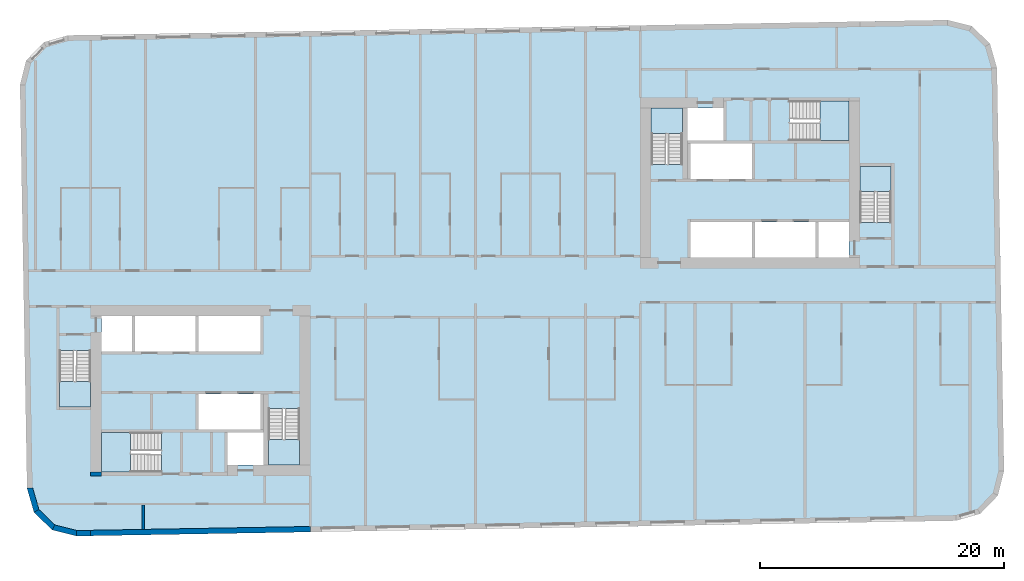
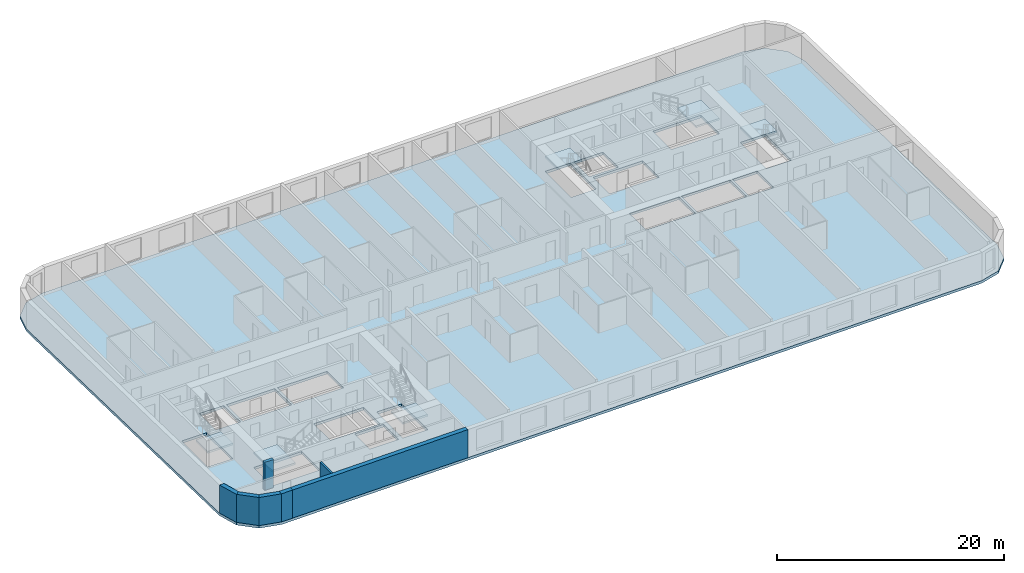
# One storey, part 1 of 11: 7 slabs, 7 walls, 6 elements without a shape of their own.
"""IFC4 building model written with IfcOpenShell, lengths in metres."""

from ifc_helpers import new_model, si_unit, direction, frame, frame_2d, origin, place, context, subcontext, project, spatial, polyline, rectangle, outline, extrude, material, layer, layer_set, type_object, element, aggregate, save


model = new_model("IFC4")

# Units and contexts
model_context = context("Model", 3, precision=1e-05, world=origin(), true_north=direction((0.0, 1.0)))
body_context = subcontext(model_context, "Body", "Model", "MODEL_VIEW")
ifc_project = project(units=[si_unit("LENGTHUNIT", "METRE"), si_unit("AREAUNIT", "SQUARE_METRE"), si_unit("VOLUMEUNIT", "CUBIC_METRE"), si_unit("PLANEANGLEUNIT", "RADIAN"), si_unit("MASSUNIT", "GRAM", prefix="KILO")], contexts=[model_context])

# Site, building, storey
site_placement = place(None, origin())
site = spatial("IfcSite", under=ifc_project, at=site_placement, CompositionType="ELEMENT")
building_placement = place(site_placement, origin())
building = spatial("IfcBuilding", under=site, at=building_placement, Name="Kajstack Hotel Tower", CompositionType="ELEMENT")
storey_placement = place(building_placement, frame((0.0, 0.0, 224.300048828125)))
storey = spatial("IfcBuildingStorey", under=building, at=storey_placement, Name="L54", CompositionType="ELEMENT", Elevation=224.300048828125)

# Slab
ifc_material_1 = material(Name="Concrete C40/50", Category="concrete")
ifc_layer_1 = layer(ifc_material_1, 0.280029296875)
ifc_layer_set_1 = layer_set([ifc_layer_1], Name="RC slab 280 C40/50 guest")
slab_type_1 = type_object("IfcSlabType", Name="RC slab 280 C40/50 guest", PredefinedType="FLOOR", material=ifc_layer_set_1)
slab_1_placement = place(storey_placement, frame((0.0, 0.0, -0.280029296875)))
element("IfcSlab", 1, at=slab_1_placement, inside=storey, type_object=slab_type_1, Name="S-slab-L54", PredefinedType="FLOOR", context=body_context, shape_type="SweptSolid", body=[
    extrude(outline(polyline([(-37.281982421875, 16.49951171875), (-36.705810546875, -16.49560546875), (-36.13525390625, -18.48583984375), (-34.645751953125, -19.92431640625), (-32.63671875, -20.42529296875), (39.352294921875, -19.168701171875), (41.342529296875, -18.597900390625), (42.781005859375, -17.1083984375), (43.281982421875, -15.099365234375), (42.705810546875, 17.8955078125), (42.13525390625, 19.885986328125), (40.645751953125, 21.32421875), (38.63671875, 21.8251953125), (-33.352294921875, 20.568603515625), (-35.342529296875, 19.997802734375), (-36.781005859375, 18.50830078125), (-37.281982421875, 16.49951171875)]), holes=[polyline([(-22.64990234375, -11.699951171875), (-22.64990234375, -8.800048828125), (-17.60009765625, -8.800048828125), (-17.60009765625, -11.699951171875), (-22.64990234375, -11.699951171875)]), polyline([(-27.85009765625, -5.300048828125), (-27.85009765625, -2.39990234375), (-22.89990234375, -2.39990234375), (-22.89990234375, -5.300048828125), (-27.85009765625, -5.300048828125)]), polyline([(-22.64990234375, -5.300048828125), (-22.64990234375, -2.39990234375), (-17.60009765625, -2.39990234375), (-17.60009765625, -5.300048828125), (-22.64990234375, -5.300048828125)]), polyline([(-20.300048828125, -14.60009765625), (-17.35009765625, -14.60009765625), (-17.35009765625, -11.949951171875), (-20.300048828125, -11.949951171875), (-20.300048828125, -14.60009765625)]), polyline([(-30.60009765625, -5.300048828125), (-28.10009765625, -5.300048828125), (-28.10009765625, -2.39990234375), (-30.60009765625, -2.39990234375), (-30.60009765625, -5.300048828125)]), polyline([(17.60009765625, 8.800048828125), (17.60009765625, 11.699951171875), (22.64990234375, 11.699951171875), (22.64990234375, 8.800048828125), (17.60009765625, 8.800048828125)]), polyline([(22.89990234375, 2.39990234375), (22.89990234375, 5.300048828125), (27.85009765625, 5.300048828125), (27.85009765625, 2.39990234375), (22.89990234375, 2.39990234375)]), polyline([(17.60009765625, 2.39990234375), (17.60009765625, 5.300048828125), (22.64990234375, 5.300048828125), (22.64990234375, 2.39990234375), (17.60009765625, 2.39990234375)]), polyline([(20.300048828125, 14.60009765625), (17.35009765625, 14.60009765625), (17.35009765625, 11.949951171875), (20.300048828125, 11.949951171875), (20.300048828125, 14.60009765625)]), polyline([(30.60009765625, 5.300048828125), (28.10009765625, 5.300048828125), (28.10009765625, 2.39990234375), (30.60009765625, 2.39990234375), (30.60009765625, 5.300048828125)]), polyline([(-34.050048828125, -9.85009765625), (-31.5, -9.85009765625), (-31.5, -5.25), (-34.050048828125, -5.25), (-34.050048828125, -9.85009765625)]), polyline([(-16.949951171875, -14.60009765625), (-14.39990234375, -14.60009765625), (-14.39990234375, -10.0), (-16.949951171875, -10.0), (-16.949951171875, -14.60009765625)]), polyline([(-30.60009765625, -15.199951171875), (-25.699951171875, -15.199951171875), (-25.699951171875, -11.949951171875), (-30.60009765625, -11.949951171875), (-30.60009765625, -15.199951171875)]), polyline([(34.050048828125, 9.85009765625), (31.5, 9.85009765625), (31.5, 5.25), (34.050048828125, 5.25), (34.050048828125, 9.85009765625)]), polyline([(16.949951171875, 14.60009765625), (14.39990234375, 14.60009765625), (14.39990234375, 10.0), (16.949951171875, 10.0), (16.949951171875, 14.60009765625)]), polyline([(30.60009765625, 15.199951171875), (25.699951171875, 15.199951171875), (25.699951171875, 11.949951171875), (30.60009765625, 11.949951171875), (30.60009765625, 15.199951171875)])]), origin(), (0.0, 0.0, 1.0), 0.280029296875),
])

# Stair, slab
stair_type_1 = type_object("IfcStairType", Name="Exit stair 1200", PredefinedType="HALF_TURN_STAIR", material=ifc_material_1)
stair_1_placement = place(storey_placement, origin())
stair_1 = element("IfcStair", 2, at=stair_1_placement, inside=storey, type_object=stair_type_1, Name="L54 stair W1", PredefinedType="HALF_TURN_STAIR")
ifc_layer_2 = layer(ifc_material_1, 0.199951171875)
ifc_layer_set_2 = layer_set([ifc_layer_2], Name="Stair landing 200")
slab_type_2 = type_object("IfcSlabType", Name="Stair landing 200", PredefinedType="LANDING", material=ifc_layer_set_2)
slab_2_placement = place(storey_placement, frame((0.0, 0.0, 1.449951171875)))
slab_2 = element("IfcSlab", 3, at=slab_2_placement, type_object=slab_type_2, Name="W1 landing 1", PredefinedType="LANDING", context=body_context, shape_type="SweptSolid", body=[
    extrude(outline(polyline([(-34.050048828125, -7.77001953125), (-34.050048828125, -9.85009765625), (-31.5, -9.85009765625), (-31.5, -7.77001953125), (-34.050048828125, -7.77001953125)])), origin(), (0.0, 0.0, 1.0), 0.199951171875),
])
aggregate(stair_1, [slab_2])

stair_2_placement = place(storey_placement, origin())
stair_2 = element("IfcStair", 4, at=stair_2_placement, inside=storey, type_object=stair_type_1, Name="L54 stair W2", PredefinedType="HALF_TURN_STAIR")
slab_3_placement = place(storey_placement, frame((0.0, 0.0, 1.449951171875)))
slab_3 = element("IfcSlab", 5, at=slab_3_placement, type_object=slab_type_2, Name="W2 landing 1", PredefinedType="LANDING", context=body_context, shape_type="SweptSolid", body=[
    extrude(outline(polyline([(-16.949951171875, -12.52001953125), (-16.949951171875, -14.60009765625), (-14.39990234375, -14.60009765625), (-14.39990234375, -12.52001953125), (-16.949951171875, -12.52001953125)])), origin(), (0.0, 0.0, 1.0), 0.199951171875),
])
aggregate(stair_2, [slab_3])

stair_type_2 = type_object("IfcStairType", Name="Exit stair 1500", PredefinedType="HALF_TURN_STAIR", material=ifc_material_1)
stair_3_placement = place(storey_placement, origin())
stair_3 = element("IfcStair", 6, at=stair_3_placement, inside=storey, type_object=stair_type_2, Name="L54 stair W3", PredefinedType="HALF_TURN_STAIR")
slab_4_placement = place(storey_placement, frame((0.0, 0.0, 1.449951171875)))
slab_4 = element("IfcSlab", 7, at=slab_4_placement, type_object=slab_type_2, Name="W3 landing 1", PredefinedType="LANDING", context=body_context, shape_type="SweptSolid", body=[
    extrude(outline(polyline([(-28.219970703125, -11.949951171875), (-30.60009765625, -11.949951171875), (-30.60009765625, -15.199951171875), (-28.219970703125, -15.199951171875), (-28.219970703125, -11.949951171875)])), origin(), (0.0, 0.0, 1.0), 0.199951171875),
])
aggregate(stair_3, [slab_4])

stair_4_placement = place(storey_placement, origin())
stair_4 = element("IfcStair", 8, at=stair_4_placement, inside=storey, type_object=stair_type_1, Name="L54 stair E1", PredefinedType="HALF_TURN_STAIR")
slab_5_placement = place(storey_placement, frame((0.0, 0.0, 1.449951171875)))
slab_5 = element("IfcSlab", 9, at=slab_5_placement, type_object=slab_type_2, Name="E1 landing 1", PredefinedType="LANDING", context=body_context, shape_type="SweptSolid", body=[
    extrude(outline(polyline([(34.050048828125, 7.77001953125), (34.050048828125, 9.85009765625), (31.5, 9.85009765625), (31.5, 7.77001953125), (34.050048828125, 7.77001953125)])), origin(), (0.0, 0.0, 1.0), 0.199951171875),
])
aggregate(stair_4, [slab_5])

stair_5_placement = place(storey_placement, origin())
stair_5 = element("IfcStair", 10, at=stair_5_placement, inside=storey, type_object=stair_type_1, Name="L54 stair E2", PredefinedType="HALF_TURN_STAIR")
slab_6_placement = place(storey_placement, frame((0.0, 0.0, 1.449951171875)))
slab_6 = element("IfcSlab", 11, at=slab_6_placement, type_object=slab_type_2, Name="E2 landing 1", PredefinedType="LANDING", context=body_context, shape_type="SweptSolid", body=[
    extrude(outline(polyline([(16.949951171875, 12.52001953125), (16.949951171875, 14.60009765625), (14.39990234375, 14.60009765625), (14.39990234375, 12.52001953125), (16.949951171875, 12.52001953125)])), origin(), (0.0, 0.0, 1.0), 0.199951171875),
])
aggregate(stair_5, [slab_6])

stair_6_placement = place(storey_placement, origin())
stair_6 = element("IfcStair", 12, at=stair_6_placement, inside=storey, type_object=stair_type_2, Name="L54 stair E3", PredefinedType="HALF_TURN_STAIR")
slab_7_placement = place(storey_placement, frame((0.0, 0.0, 1.449951171875)))
slab_7 = element("IfcSlab", 13, at=slab_7_placement, type_object=slab_type_2, Name="E3 landing 1", PredefinedType="LANDING", context=body_context, shape_type="SweptSolid", body=[
    extrude(outline(polyline([(28.219970703125, 11.949951171875), (30.60009765625, 11.949951171875), (30.60009765625, 15.199951171875), (28.219970703125, 15.199951171875), (28.219970703125, 11.949951171875)])), origin(), (0.0, 0.0, 1.0), 0.199951171875),
])
aggregate(stair_6, [slab_7])

# Walls
ifc_material_2 = material(Name="Concrete C60/75", Category="concrete")
ifc_layer_3 = layer(ifc_material_2, 0.89990234375)
ifc_layer_set_3 = layer_set([ifc_layer_3], Name="Core wall 900")
wall_type_1 = type_object("IfcWallType", Name="Core wall 900", PredefinedType="SHEAR", material=ifc_layer_set_3)
wall_1_placement = place(storey_placement, frame((-31.5, -15.35009765625, 0.0), z_axis=(0.0, 0.0, 1.0), x_axis=(1.0, 0.0, 0.0)))
element("IfcWall", 14, at=wall_1_placement, inside=storey, type_object=wall_type_1, Name="Core wall W RSW", PredefinedType="SHEAR", context=body_context, shape_type="SweptSolid", body=[
    extrude(rectangle(XDim=0.89990234375, YDim=0.300048828125, at=frame_2d((0.449951171875, 0.0))), origin(), (0.0, 0.0, 1.0), 3.02001953125),
])
ifc_layer_4 = layer(ifc_material_1, 0.449951171875)
ifc_layer_set_4 = layer_set([ifc_layer_4], Name="EW-CORE")
wall_type_2 = type_object("IfcWallType", Name="EW-CORE", PredefinedType="SOLIDWALL", material=ifc_layer_set_4)
wall_2_placement = place(storey_placement, frame((-31.50390625, -20.180419921875, 0.0), z_axis=(0.0, 0.0, 1.0), x_axis=(0.999847677887, 0.017453395744, 0.0)))
element("IfcWall", 15, at=wall_2_placement, inside=storey, type_object=wall_type_2, Name="E-wall-L54-04-01", PredefinedType="SOLIDWALL", context=body_context, shape_type="SweptSolid", body=[
    extrude(rectangle(XDim=18.002685546875, YDim=0.449951171875, at=frame_2d((9.00146484375, 0.0))), origin(), (0.0, 0.0, 1.0), 3.02001953125),
])
ifc_material_3 = material(Name="Terracotta-faced brick masonry", Category="masonry")
ifc_layer_5 = layer(ifc_material_3, 0.449951171875)
ifc_layer_set_5 = layer_set([ifc_layer_5], Name="EW-TERRA")
wall_type_3 = type_object("IfcWallType", Name="EW-TERRA", PredefinedType="SOLIDWALL", material=ifc_layer_set_5)
wall_3_placement = place(storey_placement, frame((-36.489501953125, -16.43359375, 0.0), z_axis=(0.0, 0.0, 1.0), x_axis=(0.275577603096, -0.961278827745, 0.0)))
element("IfcWall", 16, at=wall_3_placement, inside=storey, type_object=wall_type_3, Name="E-wall-L54-01-00", PredefinedType="SOLIDWALL", context=body_context, shape_type="SweptSolid", body=[
    extrude(outline(polyline([(0.0, -0.22509765625), (2.070556640625, -0.22509765625), (1.949951171875, 0.22509765625), (0.12060546875, 0.224853515625), (0.0, -0.22509765625)])), origin(), (0.0, 0.0, 1.0), 3.02001953125),
])
wall_4_placement = place(storey_placement, frame((-35.97900390625, -18.323974609375, 0.0), z_axis=(0.0, 0.0, 1.0), x_axis=(0.719320193998, -0.694678672846, 0.0)))
element("IfcWall", 17, at=wall_4_placement, inside=storey, type_object=wall_type_3, Name="E-wall-L54-02-00", PredefinedType="SOLIDWALL", context=body_context, shape_type="SweptSolid", body=[
    extrude(outline(polyline([(0.000244140625, -0.22509765625), (2.07080078125, -0.22509765625), (1.9501953125, 0.22509765625), (0.12060546875, 0.22509765625), (0.000244140625, -0.22509765625)])), origin(), (0.0, 0.0, 1.0), 3.02001953125),
])
wall_5_placement = place(storey_placement, frame((-34.59130859375, -19.7060546875, 0.0), z_axis=(0.0, 0.0, 1.0), x_axis=(0.970315655375, -0.241841950319, 0.0)))
element("IfcWall", 18, at=wall_5_placement, inside=storey, type_object=wall_type_3, Name="E-wall-L54-03-00", PredefinedType="SOLIDWALL", context=body_context, shape_type="SweptSolid", body=[
    extrude(outline(polyline([(0.0, -0.224853515625), (2.070556640625, -0.22509765625), (1.949951171875, 0.224853515625), (0.12060546875, 0.22509765625), (0.0, -0.224853515625)])), origin(), (0.0, 0.0, 1.0), 3.02001953125),
])
wall_6_placement = place(storey_placement, frame((-32.640625, -20.2001953125, 0.0), z_axis=(0.0, 0.0, 1.0), x_axis=(0.99984870815, 0.017394275206, 0.0)))
element("IfcWall", 19, at=wall_6_placement, inside=storey, type_object=wall_type_3, Name="E-wall-L54-04-00", PredefinedType="SOLIDWALL", context=body_context, shape_type="SweptSolid", body=[
    extrude(rectangle(XDim=1.136962890625, YDim=0.449951171875, at=frame_2d((0.568359375, 0.0))), origin(), (0.0, 0.0, 1.0), 3.02001953125),
])
ifc_material_4 = material(Name="Gypsum board on steel studs, mineral wool", Category="steel")
ifc_layer_6 = layer(ifc_material_4, 0.199951171875)
ifc_layer_set_6 = layer_set([ifc_layer_6], Name="Service partition 200")
wall_type_4 = type_object("IfcWallType", Name="Service partition 200", PredefinedType="PARTITIONING", material=ifc_layer_set_6)
wall_7_placement = place(storey_placement, frame((-27.199951171875, -19.88037109375, 0.0), z_axis=(0.0, 0.0, 1.0), x_axis=(0.0, 1.0, 0.0)))
element("IfcWall", 20, at=wall_7_placement, inside=storey, type_object=wall_type_4, Name="Partition W SLP0", PredefinedType="PARTITIONING", context=body_context, shape_type="SweptSolid", body=[
    extrude(rectangle(XDim=1.98046875, YDim=0.199951171875, at=frame_2d((0.990234375, 0.0))), origin(), (0.0, 0.0, 1.0), 3.02001953125),
])

save(model, "model.ifc")
